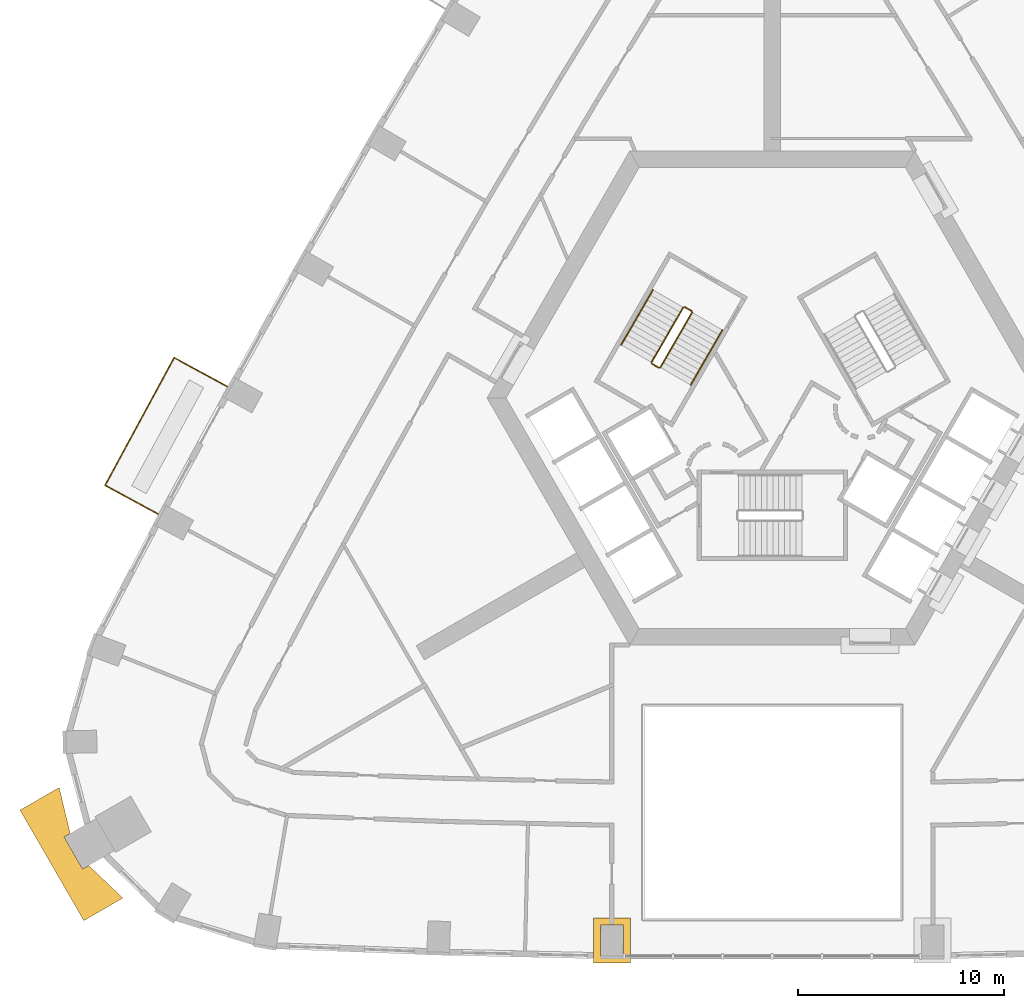
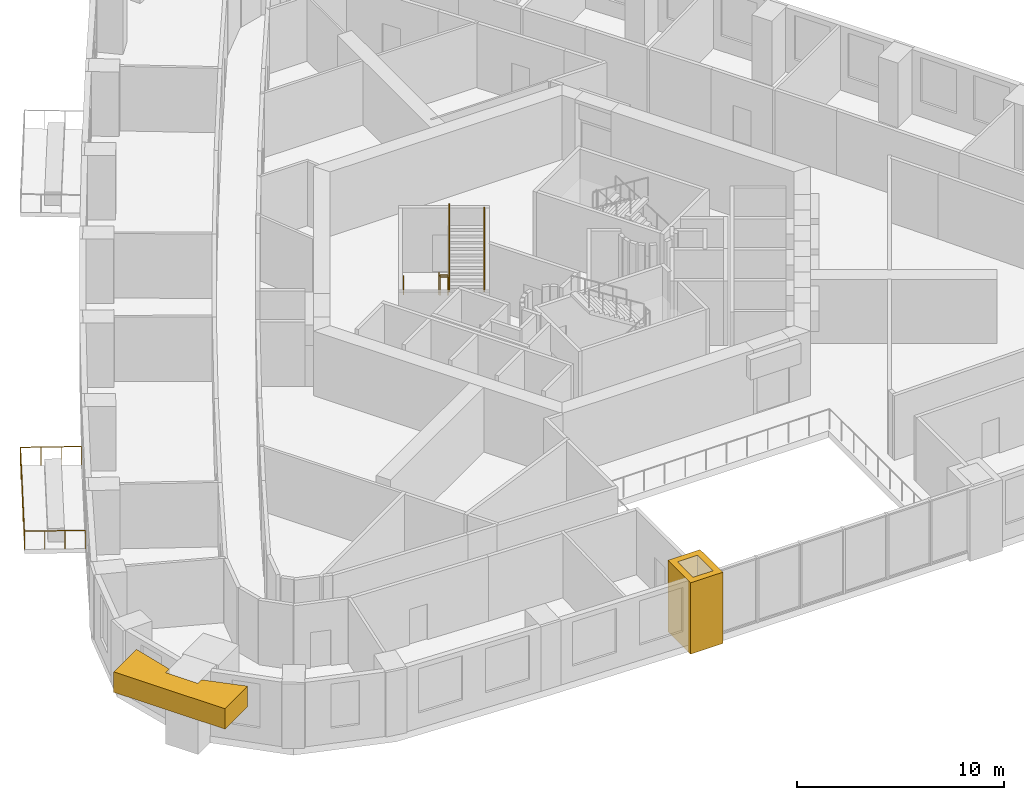
# One storey, part 12 of 14: 7 railings, 2 coverings.
"""IFC4 building model written with IfcOpenShell, lengths in metres."""

from ifc_helpers import new_model, si_unit, direction, frame, origin, origin_2d, place, context, subcontext, project, spatial, polyline, circle, outline, extrude, material, type_object, element, save


model = new_model("IFC4")

# Units and contexts
model_context = context("Model", 3, precision=1e-05, world=origin(), true_north=direction((0.0, 1.0)))
body_context = subcontext(model_context, "Body", "Model", "MODEL_VIEW")
ifc_project = project(units=[si_unit("LENGTHUNIT", "METRE"), si_unit("AREAUNIT", "SQUARE_METRE"), si_unit("VOLUMEUNIT", "CUBIC_METRE"), si_unit("PLANEANGLEUNIT", "RADIAN"), si_unit("MASSUNIT", "GRAM", prefix="KILO")], contexts=[model_context])

# Site, building, storey
site_placement = place(None, origin())
site = spatial("IfcSite", under=ifc_project, at=site_placement, CompositionType="ELEMENT")
building_placement = place(site_placement, origin())
building = spatial("IfcBuilding", under=site, at=building_placement, Name="Entoto Arch Interchange Tower", CompositionType="ELEMENT")
storey_placement = place(building_placement, frame((0.0, 0.0, 159.199951171875)))
storey = spatial("IfcBuildingStorey", under=building, at=storey_placement, Name="L35", CompositionType="ELEMENT", Elevation=159.199951171875)

# Railing
ifc_material_1 = material(Name="Stainless steel 1.4301", Category="steel")
railing_type_1 = type_object("IfcRailingType", Name="GUARD 1100 STEEL AND GLASS", PredefinedType="GUARDRAIL", material=ifc_material_1)
railing_1_placement = place(storey_placement, frame((-26.4619140625, 3.055908203125, 0.0)))
element("IfcRailing", 1, at=railing_1_placement, inside=storey, type_object=railing_type_1, Name="Balcony guard NW-06 L35", PredefinedType="GUARDRAIL", context=body_context, shape_type="SweptSolid", body=[
    extrude(circle(Radius=0.02392578125, at=origin_2d()), frame((0.0, 0.0, 1.076171875), z_axis=(-0.878946606197, 0.476920185624, 0.0), x_axis=(-0.476920185624, -0.878946606197, 0.0)), (0.0, 0.0, 1.0), 2.9501953125),
    extrude(circle(Radius=0.02392578125, at=origin_2d()), frame((-2.593017578125, 1.406982421875, 1.076171875), z_axis=(-0.476890330652, -0.878962804976, 0.0), x_axis=(0.878962804976, -0.476890330652, 0.0)), (0.0, 0.0, 1.0), 7.05810546875),
    extrude(circle(Radius=0.02392578125, at=origin_2d()), frame((-5.958984375, -4.796875, 1.076171875), z_axis=(0.878946606197, -0.476920185624, 0.0), x_axis=(0.476920185624, 0.878946606197, 0.0)), (0.0, 0.0, 1.0), 2.9501953125),
    extrude(circle(Radius=0.02099609375, at=origin_2d()), origin(), (0.0, 0.0, 1.0), 1.052001953125),
    extrude(circle(Radius=0.02099609375, at=origin_2d()), frame((-0.8642578125, 0.468994140625, 0.0)), (0.0, 0.0, 1.0), 1.052001953125),
    extrude(circle(Radius=0.02099609375, at=origin_2d()), frame((-1.728759765625, 0.93798828125, 0.0)), (0.0, 0.0, 1.0), 1.052001953125),
    extrude(circle(Radius=0.02099609375, at=origin_2d()), frame((-2.593017578125, 1.406982421875, 0.0)), (0.0, 0.0, 1.0), 1.052001953125),
    extrude(circle(Radius=0.02099609375, at=origin_2d()), frame((-3.154052734375, 0.373046875, 0.0)), (0.0, 0.0, 1.0), 1.052001953125),
    extrude(circle(Radius=0.02099609375, at=origin_2d()), frame((-3.715087890625, -0.660888671875, 0.0)), (0.0, 0.0, 1.0), 1.052001953125),
    extrude(circle(Radius=0.02099609375, at=origin_2d()), frame((-4.27587890625, -1.69482421875, 0.0)), (0.0, 0.0, 1.0), 1.052001953125),
    extrude(circle(Radius=0.02099609375, at=origin_2d()), frame((-4.8369140625, -2.72900390625, 0.0)), (0.0, 0.0, 1.0), 1.052001953125),
    extrude(circle(Radius=0.02099609375, at=origin_2d()), frame((-5.39794921875, -3.762939453125, 0.0)), (0.0, 0.0, 1.0), 1.052001953125),
    extrude(circle(Radius=0.02099609375, at=origin_2d()), frame((-5.958984375, -4.796875, 0.0)), (0.0, 0.0, 1.0), 1.052001953125),
    extrude(circle(Radius=0.02099609375, at=origin_2d()), frame((-5.0947265625, -5.265869140625, 0.0)), (0.0, 0.0, 1.0), 1.052001953125),
    extrude(circle(Radius=0.02099609375, at=origin_2d()), frame((-4.230224609375, -5.73486328125, 0.0)), (0.0, 0.0, 1.0), 1.052001953125),
    extrude(circle(Radius=0.02099609375, at=origin_2d()), frame((-3.365966796875, -6.203857421875, 0.0)), (0.0, 0.0, 1.0), 1.052001953125),
])

# Coverings
ifc_material_2 = material(Name="Board-marked precast concrete C50/60", Category="concrete")
covering_type = type_object("IfcCoveringType", Name="PRECAST FRAME COURSE", PredefinedType="CLADDING", material=ifc_material_2)
covering_1_placement = place(storey_placement, frame((0.0, 0.0, 2.60009765625)))
element("IfcCovering", 2, at=covering_1_placement, inside=storey, type_object=covering_type, Name="Corner pilaster head SW L33-L35", PredefinedType="CLADDING", context=body_context, shape_type="SweptSolid", body=[
    extrude(outline(polyline([(-33.448974609375, -22.89111328125), (-36.549072265625, -17.52099609375), (-34.64599609375, -16.423095703125), (-34.10888671875, -18.653076171875), (-34.408935546875, -18.826904296875), (-33.509033203125, -20.385009765625), (-33.208984375, -20.2119140625), (-31.5458984375, -21.7919921875), (-33.448974609375, -22.89111328125)])), origin(), (0.0, 0.0, 1.0), 1.199951171875),
])
covering_2_placement = place(storey_placement, frame((0.0, 0.0, -0.39990234375)))
element("IfcCovering", 3, at=covering_2_placement, inside=storey, type_object=covering_type, Name="Gate pier L35", PredefinedType="CLADDING", context=body_context, shape_type="SweptSolid", body=[
    extrude(outline(polyline([(-8.68896484375, -22.757080078125), (-6.888916015625, -22.757080078125), (-6.888916015625, -24.95703125), (-8.68896484375, -24.95703125), (-8.68896484375, -22.757080078125)]), holes=[polyline([(-8.339111328125, -23.10693359375), (-8.339111328125, -24.60693359375), (-7.239013671875, -24.60693359375), (-7.239013671875, -23.10693359375), (-8.339111328125, -23.10693359375)])]), origin(), (0.0, 0.0, 1.0), 4.199951171875),
])

# Railings
railing_type_2 = type_object("IfcRailingType", Name="STAIR GUARD 1100 STEEL", PredefinedType="GUARDRAIL", material=ifc_material_1)
railing_2_placement = place(storey_placement, frame((-4.327880859375, 6.904052734375, 0.175048828125)))
element("IfcRailing", 4, at=railing_2_placement, inside=storey, type_object=railing_type_2, Name="L35 ST-NW stair guard 1", PredefinedType="GUARDRAIL", context=body_context, shape_type="SweptSolid", body=[
    extrude(circle(Radius=0.02392578125, at=origin_2d()), frame((0.0, 0.0, 1.076171875), z_axis=(-0.423994474112, -0.734394994316, 0.52999309264), x_axis=(0.866029832698, -0.499992328818, 0.0)), (0.0, 0.0, 1.0), 3.63232421875),
    extrude(circle(Radius=0.02099609375, at=origin_2d()), origin(), (0.0, 0.0, 1.0), 1.052001953125),
    extrude(circle(Radius=0.02099609375, at=origin_2d()), frame((-0.385009765625, -0.6669921875, 0.481201171875)), (0.0, 0.0, 1.0), 1.052001953125),
    extrude(circle(Radius=0.02099609375, at=origin_2d()), frame((-0.77001953125, -1.333740234375, 0.96240234375)), (0.0, 0.0, 1.0), 1.052001953125),
    extrude(circle(Radius=0.02099609375, at=origin_2d()), frame((-1.155029296875, -2.00048828125, 1.44384765625)), (0.0, 0.0, 1.0), 1.052001953125),
    extrude(circle(Radius=0.02099609375, at=origin_2d()), frame((-1.5400390625, -2.66748046875, 1.925048828125)), (0.0, 0.0, 1.0), 1.052001953125),
])
railing_3_placement = place(storey_placement, frame((-5.849609375, 4.168212890625, 2.10009765625)))
element("IfcRailing", 5, at=railing_3_placement, inside=storey, type_object=railing_type_2, Name="L35 ST-NW stair guard 2", PredefinedType="GUARDRAIL", context=body_context, shape_type="SweptSolid", body=[
    extrude(circle(Radius=0.02392578125, at=origin_2d()), frame((0.0, 0.0, 1.076171875), z_axis=(0.866094119867, -0.499880961361, 0.0), x_axis=(0.499880961361, 0.866094119867, 0.0)), (0.0, 0.0, 1.0), 0.39990234375),
    extrude(circle(Radius=0.02099609375, at=origin_2d()), origin(), (0.0, 0.0, 1.0), 1.052001953125),
    extrude(circle(Radius=0.02099609375, at=origin_2d()), frame((0.346435546875, -0.199951171875, 0.0)), (0.0, 0.0, 1.0), 1.052001953125),
])
railing_4_placement = place(storey_placement, frame((-5.434814453125, 3.986572265625, 2.275146484375)))
element("IfcRailing", 6, at=railing_4_placement, inside=storey, type_object=railing_type_2, Name="L35 ST-NW stair guard 3", PredefinedType="GUARDRAIL", context=body_context, shape_type="SweptSolid", body=[
    extrude(circle(Radius=0.02392578125, at=origin_2d()), frame((0.0, 0.0, 1.076171875), z_axis=(0.424009578203, 0.734421155904, 0.529944755001), x_axis=(-0.866029832698, 0.499992328818, 0.0)), (0.0, 0.0, 1.0), 3.632080078125),
    extrude(circle(Radius=0.02099609375, at=origin_2d()), origin(), (0.0, 0.0, 1.0), 1.052001953125),
    extrude(circle(Radius=0.02099609375, at=origin_2d()), frame((0.385009765625, 0.6669921875, 0.481201171875)), (0.0, 0.0, 1.0), 1.052001953125),
    extrude(circle(Radius=0.02099609375, at=origin_2d()), frame((0.77001953125, 1.333740234375, 0.96240234375)), (0.0, 0.0, 1.0), 1.052001953125),
    extrude(circle(Radius=0.02099609375, at=origin_2d()), frame((1.155029296875, 2.00048828125, 1.443603515625)), (0.0, 0.0, 1.0), 1.052001953125),
    extrude(circle(Radius=0.02099609375, at=origin_2d()), frame((1.5400390625, 2.66748046875, 1.9248046875)), (0.0, 0.0, 1.0), 1.052001953125),
])
railing_5_placement = place(storey_placement, frame((-4.259521484375, 6.92236328125, 0.0)))
element("IfcRailing", 7, at=railing_5_placement, inside=storey, type_object=railing_type_2, Name="L35 ST-NW stair guard 4", PredefinedType="GUARDRAIL", context=body_context, shape_type="SweptSolid", body=[
    extrude(circle(Radius=0.02392578125, at=origin_2d()), frame((0.0, 0.0, 1.076171875), z_axis=(0.865829829939, -0.500338590944, 0.0), x_axis=(0.500338590944, 0.865829829939, 0.0)), (0.0, 0.0, 1.0), 0.400146484375),
    extrude(circle(Radius=0.02099609375, at=origin_2d()), origin(), (0.0, 0.0, 1.0), 1.052001953125),
    extrude(circle(Radius=0.02099609375, at=origin_2d()), frame((0.346435546875, -0.2001953125, 0.0)), (0.0, 0.0, 1.0), 1.052001953125),
])
railing_type_3 = type_object("IfcRailingType", Name="STAIR HANDRAIL 900 STEEL", PredefinedType="HANDRAIL", material=ifc_material_1)
railing_6_placement = place(storey_placement, frame((-5.800048828125, 7.75390625, 0.175048828125)))
element("IfcRailing", 8, at=railing_6_placement, inside=storey, type_object=railing_type_3, Name="L35 ST-NW stair handrail 1", PredefinedType="HANDRAIL", context=body_context, shape_type="SweptSolid", body=[
    extrude(circle(Radius=0.02392578125, at=origin_2d()), frame((0.0, 0.0, 0.8759765625), z_axis=(-0.424015404183, -0.734364028329, 0.530019255228), x_axis=(0.866010015463, -0.500026652407, 0.0)), (0.0, 0.0, 1.0), 3.632080078125),
    extrude(circle(Radius=0.02099609375, at=origin_2d()), origin(), (0.0, 0.0, 1.0), 0.851806640625),
    extrude(circle(Radius=0.02099609375, at=origin_2d()), frame((-0.385009765625, -0.666748046875, 0.481201171875)), (0.0, 0.0, 1.0), 0.851806640625),
    extrude(circle(Radius=0.02099609375, at=origin_2d()), frame((-0.77001953125, -1.33349609375, 0.96240234375)), (0.0, 0.0, 1.0), 0.851806640625),
    extrude(circle(Radius=0.02099609375, at=origin_2d()), frame((-1.155029296875, -2.00048828125, 1.44384765625)), (0.0, 0.0, 1.0), 0.851806640625),
    extrude(circle(Radius=0.02099609375, at=origin_2d()), frame((-1.5400390625, -2.667236328125, 1.925048828125)), (0.0, 0.0, 1.0), 0.851806640625),
])
railing_7_placement = place(storey_placement, frame((-3.962646484375, 3.136474609375, 2.275146484375)))
element("IfcRailing", 9, at=railing_7_placement, inside=storey, type_object=railing_type_3, Name="L35 ST-NW stair handrail 2", PredefinedType="HANDRAIL", context=body_context, shape_type="SweptSolid", body=[
    extrude(circle(Radius=0.02392578125, at=origin_2d()), frame((0.0, 0.0, 0.8759765625), z_axis=(0.424009578203, 0.734421155904, 0.529944755001), x_axis=(-0.866029832698, 0.499992328818, 0.0)), (0.0, 0.0, 1.0), 3.632080078125),
    extrude(circle(Radius=0.02099609375, at=origin_2d()), origin(), (0.0, 0.0, 1.0), 0.851806640625),
    extrude(circle(Radius=0.02099609375, at=origin_2d()), frame((0.385009765625, 0.6669921875, 0.481201171875)), (0.0, 0.0, 1.0), 0.851806640625),
    extrude(circle(Radius=0.02099609375, at=origin_2d()), frame((0.77001953125, 1.333740234375, 0.96240234375)), (0.0, 0.0, 1.0), 0.851806640625),
    extrude(circle(Radius=0.02099609375, at=origin_2d()), frame((1.155029296875, 2.00048828125, 1.443603515625)), (0.0, 0.0, 1.0), 0.851806640625),
    extrude(circle(Radius=0.02099609375, at=origin_2d()), frame((1.5400390625, 2.66748046875, 1.9248046875)), (0.0, 0.0, 1.0), 0.851806640625),
])

save(model, "model.ifc")
